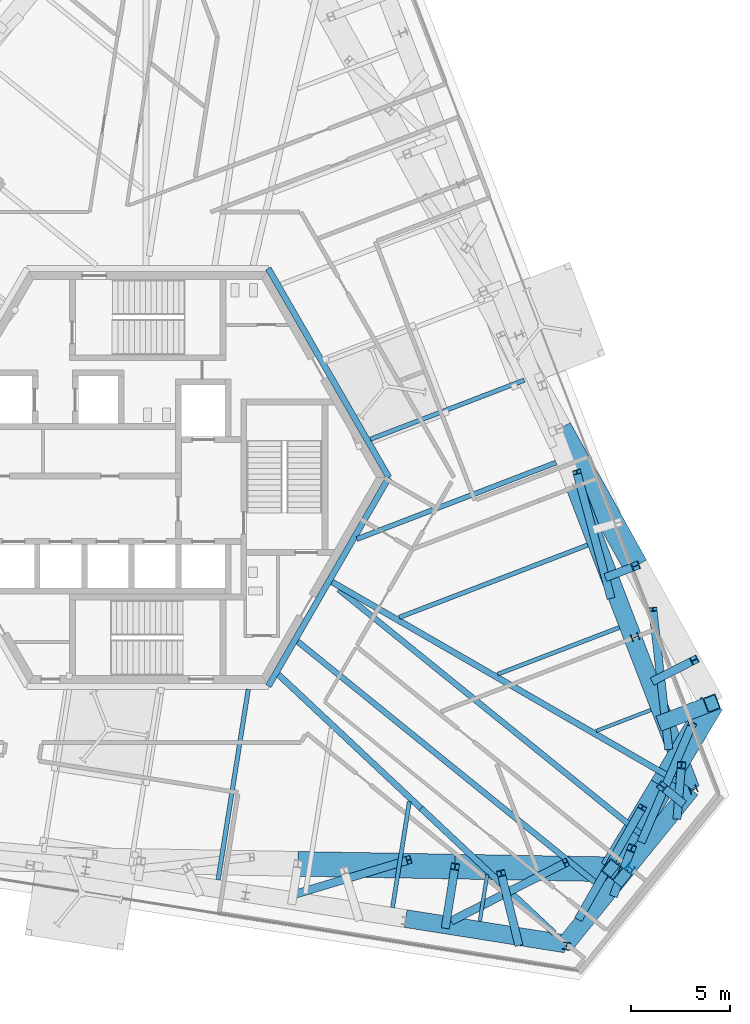
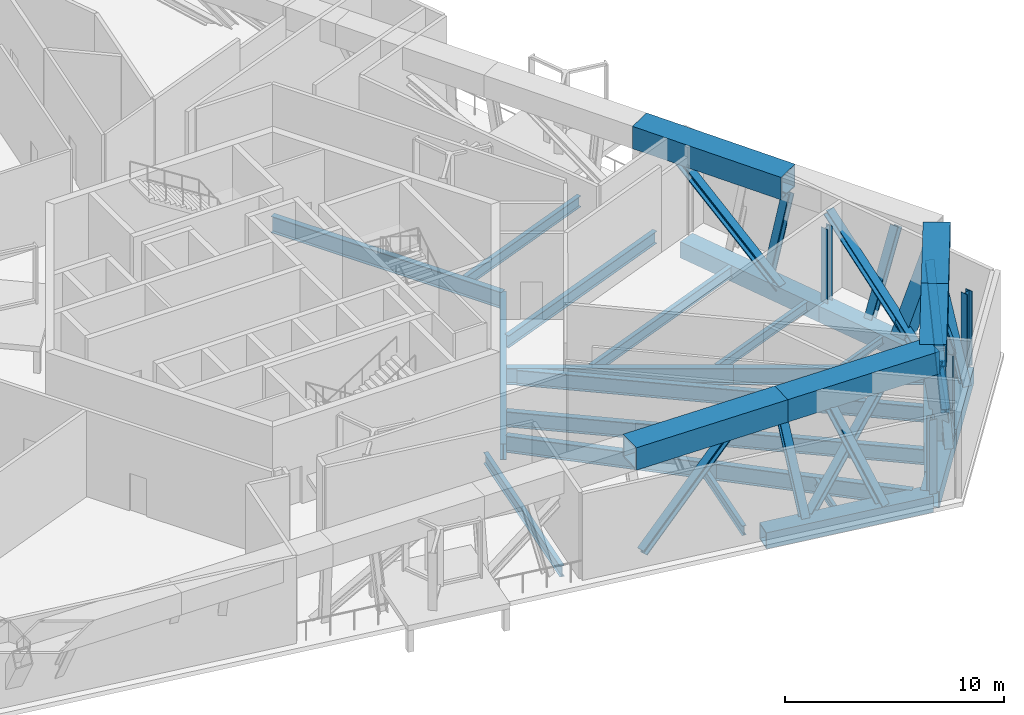
# One storey, part 3 of 14: 29 members, 16 beams.
"""IFC4 building model written with IfcOpenShell, lengths in metres."""

from ifc_helpers import new_model, si_unit, direction, frame, origin, origin_2d, place, context, subcontext, project, spatial, hollow_rectangle, i_section, extrude, source, transform, mapped, material, material_profile, profile_set, type_object, element, save


model = new_model("IFC4")

# Units and contexts
model_context = context("Model", 3, precision=1e-05, world=origin(), true_north=direction((0.0, 1.0)))
body_context = subcontext(model_context, "Body", "Model", "MODEL_VIEW")
ifc_project = project(units=[si_unit("LENGTHUNIT", "METRE"), si_unit("AREAUNIT", "SQUARE_METRE"), si_unit("VOLUMEUNIT", "CUBIC_METRE"), si_unit("PLANEANGLEUNIT", "RADIAN"), si_unit("MASSUNIT", "GRAM", prefix="KILO")], contexts=[model_context])

# Site, building, storey
site_placement = place(None, origin())
site = spatial("IfcSite", under=ifc_project, at=site_placement, CompositionType="ELEMENT")
building_placement = place(site_placement, origin())
building = spatial("IfcBuilding", under=site, at=building_placement, Name="Triune Harvest Tower", CompositionType="ELEMENT")
storey_placement = place(building_placement, frame((0.0, 0.0, 174.925048828125)))
storey = spatial("IfcBuildingStorey", under=building, at=storey_placement, Name="L45", CompositionType="ELEMENT", Elevation=174.925048828125)

# Beams
ifc_material_1 = material(Name="Steel ASTM A992 Gr 50", Category="steel")
ifc_material_profile_1 = material_profile(ifc_material_1, i_section(OverallWidth=0.307373046875, OverallDepth=0.922119140625, WebThickness=0.018310546875, FlangeThickness=0.030029296875, at=origin_2d()), Name="W36x182")
ifc_profile_set_1 = profile_set([ifc_material_profile_1], Name="Steel ASTM A992 Gr 50")
beam_type_1 = type_object("IfcBeamType", Name="HG-2 Hip girder W36x182", PredefinedType="BEAM", material=ifc_profile_set_1)
beam_1_placement = place(storey_placement, frame((26.8056640625, -15.385009765625, -0.7109375), z_axis=(-0.866018381575, 0.500012162627, 0.0), x_axis=(-0.500012162627, -0.866018381575, 0.0)))
element("IfcBeam", 1, at=beam_1_placement, inside=storey, type_object=beam_type_1, Name="beam/L45/HG1", PredefinedType="BEAM", context=body_context, shape_type="SweptSolid", body=[
    extrude(i_section(OverallWidth=0.307373046875, OverallDepth=0.922119140625, WebThickness=0.018310546875, FlangeThickness=0.030029296875, at=origin_2d()), origin(), (0.0, 0.0, 1.0), 9.823486328125),
])
beam_2_placement = place(storey_placement, frame((20.515625, -23.00439453125, -0.7109375), z_axis=(-0.729501671214, 0.683979028696, 0.0), x_axis=(-0.683979028696, -0.729501671214, 0.0)))
element("IfcBeam", 2, at=beam_2_placement, inside=storey, type_object=beam_type_1, Name="beam/L45/HG7", PredefinedType="BEAM", context=body_context, shape_type="SweptSolid", body=[
    extrude(i_section(OverallWidth=0.307373046875, OverallDepth=0.922119140625, WebThickness=0.018310546875, FlangeThickness=0.030029296875, at=origin_2d()), origin(), (0.0, 0.0, 1.0), 9.213623046875),
])
ifc_material_2 = material(Name="Steel ASTM A992 Gr 50", Category="steel")
ifc_material_profile_2 = material_profile(ifc_material_2, i_section(OverallWidth=0.180908203125, OverallDepth=0.41650390625, WebThickness=0.010986328125, FlangeThickness=0.01806640625, at=origin_2d()), Name="W16x57")
ifc_profile_set_2 = profile_set([ifc_material_profile_2], Name="Steel ASTM A992 Gr 50")
beam_type_2 = type_object("IfcBeamType", Name="JT-1 Floor joist W16x57", PredefinedType="JOIST", material=ifc_profile_set_2)
beam_3_placement = place(storey_placement, frame((25.406982421875, -11.74072265625, -0.458251953125), z_axis=(-0.933578972408, -0.358371737555, 0.0), x_axis=(0.358371737555, -0.933578972408, 0.0)))
element("IfcBeam", 3, at=beam_3_placement, inside=storey, type_object=beam_type_2, Name="beam/L45/JT1", PredefinedType="JOIST", context=body_context, shape_type="SweptSolid", body=[
    extrude(i_section(OverallWidth=0.180908203125, OverallDepth=0.41650390625, WebThickness=0.010986328125, FlangeThickness=0.01806640625, at=origin_2d()), origin(), (0.0, 0.0, 1.0), 2.96337890625),
])
ifc_material_3 = material(Name="Steel ASTM A992 Gr 50", Category="steel")
ifc_material_profile_3 = material_profile(ifc_material_3, i_section(OverallWidth=0.2099609375, OverallDepth=0.535888671875, WebThickness=0.010986328125, FlangeThickness=0.017333984375, at=origin_2d()), Name="W21x68")
ifc_profile_set_3 = profile_set([ifc_material_profile_3], Name="Steel ASTM A992 Gr 50")
beam_type_3 = type_object("IfcBeamType", Name="JT-2 Floor joist W21x68", PredefinedType="JOIST", material=ifc_profile_set_3)
beam_4_placement = place(storey_placement, frame((23.808837890625, -7.577880859375, -0.51806640625), z_axis=(-0.933579904372, -0.358369309725, 0.0), x_axis=(0.358369309725, -0.933579904372, 0.0)))
element("IfcBeam", 4, at=beam_4_placement, inside=storey, type_object=beam_type_3, Name="beam/L45/JT2", PredefinedType="JOIST", context=body_context, shape_type="SweptSolid", body=[
    extrude(i_section(OverallWidth=0.2099609375, OverallDepth=0.535888671875, WebThickness=0.010986328125, FlangeThickness=0.017333984375, at=origin_2d()), origin(), (0.0, 0.0, 1.0), 6.57421875),
])
ifc_material_4 = material(Name="Steel ASTM A992 Gr 50", Category="steel")
ifc_material_profile_4 = material_profile(ifc_material_4, i_section(OverallWidth=0.22900390625, OverallDepth=0.612060546875, WebThickness=0.011962890625, FlangeThickness=0.01953125, at=origin_2d()), Name="W24x84")
ifc_profile_set_4 = profile_set([ifc_material_profile_4], Name="Steel ASTM A992 Gr 50")
beam_type_4 = type_object("IfcBeamType", Name="JT-3 Floor joist W24x84", PredefinedType="JOIST", material=ifc_profile_set_4)
beam_5_placement = place(storey_placement, frame((19.014892578125, 4.910888671875, -0.55615234375), z_axis=(-0.933589428947, -0.358344496482, 0.0), x_axis=(0.358344496482, -0.933589428947, 0.0)))
element("IfcBeam", 5, at=beam_5_placement, inside=storey, type_object=beam_type_4, Name="beam/L45/JT5", PredefinedType="JOIST", context=body_context, shape_type="SweptSolid", body=[
    extrude(i_section(OverallWidth=0.22900390625, OverallDepth=0.612060546875, WebThickness=0.011962890625, FlangeThickness=0.01953125, at=origin_2d()), origin(), (0.0, 0.0, 1.0), 8.328125),
])
beam_6_placement = place(storey_placement, frame((3.553955078125, -20.318115234375, -0.55615234375), z_axis=(0.156419452212, 0.987690718277, 0.0), x_axis=(-0.987690718277, 0.156419452212, 0.0)))
element("IfcBeam", 6, at=beam_6_placement, inside=storey, type_object=beam_type_4, Name="beam/L45/JT31", PredefinedType="JOIST", context=body_context, shape_type="SweptSolid", body=[
    extrude(i_section(OverallWidth=0.22900390625, OverallDepth=0.612060546875, WebThickness=0.011962890625, FlangeThickness=0.01953125, at=origin_2d()), origin(), (0.0, 0.0, 1.0), 9.740966796875),
])

# Members
ifc_material_5 = material(Name="Steel ASTM A572 Gr 50", Category="steel")
ifc_material_profile_5 = material_profile(ifc_material_5, hollow_rectangle(XDim=1.25, YDim=1.25, WallThickness=0.070068359375, at=origin_2d()), Name="Box 1250x1250x70")
ifc_profile_set_5 = profile_set([ifc_material_profile_5], Name="Steel ASTM A572 Gr 50")
member_type_1 = type_object("IfcMemberType", Name="TC-1 Belt truss chord Box 1250x1250x70", PredefinedType="CHORD", material=ifc_profile_set_5)
member_1_placement = place(storey_placement, frame((24.632080078125, -4.473388671875, 4.18994140625), z_axis=(-0.484826855234, 0.874610153408, 0.0), x_axis=(-0.874610153408, -0.484826855234, 0.0)))
element("IfcMember", 7, at=member_1_placement, inside=storey, type_object=member_type_1, Name="truss/L45/TCT2", PredefinedType="CHORD", context=body_context, shape_type="SweptSolid", body=[
    extrude(hollow_rectangle(XDim=1.25, YDim=1.25, WallThickness=0.070068359375, at=origin_2d()), origin(), (0.0, 0.0, 1.0), 7.927001953125),
])
ifc_material_6 = material(Name="Steel ASTM A992 Gr 50", Category="steel")
ifc_material_profile_6 = material_profile(ifc_material_6, i_section(OverallWidth=0.411376953125, OverallDepth=0.434326171875, WebThickness=0.035888671875, FlangeThickness=0.057373046875, at=origin_2d()), Name="W14x311")
ifc_profile_set_6 = profile_set([ifc_material_profile_6], Name="Steel ASTM A992 Gr 50")
member_type_2 = type_object("IfcMemberType", Name="TD-2 Belt truss diagonal W14x311", PredefinedType="BRACE", material=ifc_profile_set_6)
member_2_placement = place(storey_placement, frame((21.7900390625, -22.22412109375, -0.324951171875), z_axis=(0.423257162956, 0.740123058394, 0.522562180453), x_axis=(-0.868076514654, 0.496430422825, 0.0)))
element("IfcMember", 8, at=member_2_placement, inside=storey, type_object=member_type_2, Name="truss/L45/TD45", PredefinedType="BRACE", context=body_context, shape_type="SweptSolid", body=[
    extrude(i_section(OverallWidth=0.411376953125, OverallDepth=0.434326171875, WebThickness=0.035888671875, FlangeThickness=0.057373046875, at=origin_2d()), origin(), (0.0, 0.0, 1.0), 7.5107421875),
])

# Beams
ifc_material_7 = material(Name="Steel ASTM A992 Gr 50", Category="steel")
ifc_material_profile_7 = material_profile(ifc_material_7, i_section(OverallWidth=0.3046875, OverallDepth=0.914306640625, WebThickness=0.0166015625, FlangeThickness=0.02587890625, at=origin_2d()), Name="W36x160")
ifc_profile_set_7 = profile_set([ifc_material_profile_7], Name="Steel ASTM A992 Gr 50")
beam_type_5 = type_object("IfcBeamType", Name="CG-1 Core ring girder W36x160", PredefinedType="BEAM", material=ifc_profile_set_7)
shared_shape_1 = source(origin(), body_context, "Body", "SweptSolid", [
    extrude(i_section(OverallWidth=0.3046875, OverallDepth=0.914306640625, WebThickness=0.0166015625, FlangeThickness=0.02587890625, at=origin_2d()), origin(), (0.0, 0.0, 1.0), 12.176025390625),
])
for number, where, z_axis, x_axis, name in (
    (9, (12.176025390625, 0.0, -0.707275390625), (-0.5000099932, 0.866019634131, 0.0), (-0.866019634131, -0.5000099932, 0.0), "beam/L45/CG1"),
    (10, (6.087890625, -10.544677734375, -0.707275390625), (0.5000099932, 0.866019634131, 0.0), (-0.866019634131, 0.5000099932, 0.0), "beam/L45/CG6"),
):
    element("IfcBeam", number, at=place(storey_placement, frame(where, z_axis=z_axis, x_axis=x_axis)), inside=storey, type_object=beam_type_5, Name=name, PredefinedType="BEAM", context=body_context, shape_type="MappedRepresentation", body=[
        mapped(shared_shape_1, transform((0.0, 0.0, 0.0), scale=1.0)),
    ])
shared_shape_2 = source(origin(), body_context, "Body", "SweptSolid", [
    extrude(i_section(OverallWidth=0.307373046875, OverallDepth=0.922119140625, WebThickness=0.018310546875, FlangeThickness=0.030029296875, at=origin_2d()), origin(), (0.0, 0.0, 1.0), 10.38623046875),
])
beam_7_placement = place(storey_placement, frame((18.29833984375, -10.47314453125, -0.7109375), z_axis=(-0.866022743272, 0.500004608114, 0.0), x_axis=(-0.500004608114, -0.866022743272, 0.0)))
element("IfcBeam", 11, at=beam_7_placement, inside=storey, type_object=beam_type_1, Name="beam/L45/HG2", PredefinedType="BEAM", context=body_context, shape_type="MappedRepresentation", body=[
    mapped(shared_shape_2, transform((0.0, 0.0, 0.0), scale=1.0)),
])
shared_shape_3 = source(origin(), body_context, "Body", "SweptSolid", [
    extrude(i_section(OverallWidth=0.307373046875, OverallDepth=0.922119140625, WebThickness=0.018310546875, FlangeThickness=0.030029296875, at=origin_2d()), origin(), (0.0, 0.0, 1.0), 9.85888671875),
])
beam_8_placement = place(storey_placement, frame((13.794189453125, -16.702392578125, -0.7109375), z_axis=(-0.729486233367, 0.683995493646, 0.0), x_axis=(-0.683995493646, -0.729486233367, 0.0)))
element("IfcBeam", 12, at=beam_8_placement, inside=storey, type_object=beam_type_1, Name="beam/L45/HG8", PredefinedType="BEAM", context=body_context, shape_type="MappedRepresentation", body=[
    mapped(shared_shape_3, transform((0.0, 0.0, 0.0), scale=1.0)),
])
shared_shape_4 = source(origin(), body_context, "Body", "SweptSolid", [
    extrude(i_section(OverallWidth=0.22900390625, OverallDepth=0.612060546875, WebThickness=0.011962890625, FlangeThickness=0.01953125, at=origin_2d()), origin(), (0.0, 0.0, 1.0), 10.18505859375),
])
beam_9_placement = place(storey_placement, frame((22.2109375, -3.414794921875, -0.55615234375), z_axis=(-0.933575234248, -0.358381475524, 0.0), x_axis=(0.358381475524, -0.933575234248, 0.0)))
element("IfcBeam", 13, at=beam_9_placement, inside=storey, type_object=beam_type_4, Name="beam/L45/JT3", PredefinedType="JOIST", context=body_context, shape_type="MappedRepresentation", body=[
    mapped(shared_shape_4, transform((0.0, 0.0, 0.0), scale=1.0)),
])
ifc_material_8 = material(Name="Steel ASTM A992 Gr 50", Category="steel")
ifc_material_profile_8 = material_profile(ifc_material_8, i_section(OverallWidth=0.253662109375, OverallDepth=0.683349609375, WebThickness=0.012451171875, FlangeThickness=0.01904296875, at=origin_2d()), Name="W27x94")
ifc_profile_set_8 = profile_set([ifc_material_profile_8], Name="Steel ASTM A992 Gr 50")
beam_type_6 = type_object("IfcBeamType", Name="JT-4 Floor joist W27x94", PredefinedType="JOIST", material=ifc_profile_set_8)
shared_shape_5 = source(origin(), body_context, "Body", "SweptSolid", [
    extrude(i_section(OverallWidth=0.253662109375, OverallDepth=0.683349609375, WebThickness=0.012451171875, FlangeThickness=0.01904296875, at=origin_2d()), origin(), (0.0, 0.0, 1.0), 10.773681640625),
])
beam_10_placement = place(storey_placement, frame((20.61279296875, 0.748046875, -0.591552734375), z_axis=(-0.933583690433, -0.358359446587, 0.0), x_axis=(0.358359446587, -0.933583690433, 0.0)))
element("IfcBeam", 14, at=beam_10_placement, inside=storey, type_object=beam_type_6, Name="beam/L45/JT4", PredefinedType="JOIST", context=body_context, shape_type="MappedRepresentation", body=[
    mapped(shared_shape_5, transform((0.0, 0.0, 0.0), scale=1.0)),
])
shared_shape_6 = source(origin(), body_context, "Body", "SweptSolid", [
    extrude(i_section(OverallWidth=0.2099609375, OverallDepth=0.535888671875, WebThickness=0.010986328125, FlangeThickness=0.017333984375, at=origin_2d()), origin(), (0.0, 0.0, 1.0), 5.4150390625),
])
beam_11_placement = place(storey_placement, frame((12.3623046875, -21.713134765625, -0.51806640625), z_axis=(0.156446431057, 0.98768644529, 0.0), x_axis=(-0.98768644529, 0.156446431057, 0.0)))
element("IfcBeam", 15, at=beam_11_placement, inside=storey, type_object=beam_type_3, Name="beam/L45/JT33", PredefinedType="JOIST", context=body_context, shape_type="MappedRepresentation", body=[
    mapped(shared_shape_6, transform((0.0, 0.0, 0.0), scale=1.0)),
])
shared_shape_7 = source(origin(), body_context, "Body", "SweptSolid", [
    extrude(i_section(OverallWidth=0.180908203125, OverallDepth=0.41650390625, WebThickness=0.010986328125, FlangeThickness=0.01806640625, at=origin_2d()), origin(), (0.0, 0.0, 1.0), 2.3896484375),
])
beam_12_placement = place(storey_placement, frame((16.7666015625, -22.41064453125, -0.458251953125), z_axis=(0.156408476498, 0.987692456425, 0.0), x_axis=(-0.987692456425, 0.156408476498, 0.0)))
element("IfcBeam", 16, at=beam_12_placement, inside=storey, type_object=beam_type_2, Name="beam/L45/JT34", PredefinedType="JOIST", context=body_context, shape_type="MappedRepresentation", body=[
    mapped(shared_shape_7, transform((0.0, 0.0, 0.0), scale=1.0)),
])
ifc_material_9 = material(Name="Steel ASTM A992 Gr 50", Category="steel")
ifc_material_profile_9 = material_profile(ifc_material_9, i_section(OverallWidth=0.2919921875, OverallDepth=0.8583984375, WebThickness=0.01708984375, FlangeThickness=0.031005859375, at=origin_2d()), Name="W33x169")
ifc_profile_set_9 = profile_set([ifc_material_profile_9], Name="Steel ASTM A992 Gr 50")
beam_type_7 = type_object("IfcBeamType", Name="JT-7 Floor joist W33x169", PredefinedType="JOIST", material=ifc_profile_set_9)
shared_shape_8 = source(origin(), body_context, "Body", "SweptSolid", [
    extrude(i_section(OverallWidth=0.2919921875, OverallDepth=0.8583984375, WebThickness=0.01708984375, FlangeThickness=0.031005859375, at=origin_2d()), origin(), (0.0, 0.0, 1.0), 19.674560546875),
])
beam_13_placement = place(storey_placement, frame((22.85888671875, -20.666015625, -0.679443359375), z_axis=(-0.77714689868, 0.629319233674, 0.0), x_axis=(-0.629319233674, -0.77714689868, 0.0)))
element("IfcBeam", 17, at=beam_13_placement, inside=storey, type_object=beam_type_7, Name="beam/L45/JT35", PredefinedType="JOIST", context=body_context, shape_type="MappedRepresentation", body=[
    mapped(shared_shape_8, transform((0.0, 0.0, 0.0), scale=1.0)),
])
shared_shape_9 = source(origin(), body_context, "Body", "SweptSolid", [
    extrude(i_section(OverallWidth=0.2919921875, OverallDepth=0.8583984375, WebThickness=0.01708984375, FlangeThickness=0.031005859375, at=origin_2d()), origin(), (0.0, 0.0, 1.0), 19.718505859375),
])
beam_14_placement = place(storey_placement, frame((24.967041015625, -18.062744140625, -0.679443359375), z_axis=(-0.777138176673, 0.629330004336, 0.0), x_axis=(-0.629330004336, -0.777138176673, 0.0)))
element("IfcBeam", 18, at=beam_14_placement, inside=storey, type_object=beam_type_7, Name="beam/L45/JT36", PredefinedType="JOIST", context=body_context, shape_type="MappedRepresentation", body=[
    mapped(shared_shape_9, transform((0.0, 0.0, 0.0), scale=1.0)),
])

# Members
ifc_material_10 = material(Name="Steel ASTM A992 Gr 50", Category="steel")
ifc_material_profile_10 = material_profile(ifc_material_10, i_section(OverallWidth=0.373291015625, OverallDepth=0.373291015625, WebThickness=0.016357421875, FlangeThickness=0.026123046875, at=origin_2d()), Name="W14x132")
ifc_profile_set_10 = profile_set([ifc_material_profile_10], Name="Steel ASTM A992 Gr 50")
member_type_3 = type_object("IfcMemberType", Name="WP-4 Roof edge post W14x132", PredefinedType="POST", material=ifc_profile_set_10)
shared_shape_10 = source(origin(), body_context, "Body", "SweptSolid", [
    extrude(i_section(OverallWidth=0.373291015625, OverallDepth=0.373291015625, WebThickness=0.016357421875, FlangeThickness=0.026123046875, at=origin_2d()), origin(), (0.0, 0.0, 1.0), 4.150634765625),
])
for number, where, z_axis, x_axis, name in (
    (19, (27.54345703125, -15.76123046875, -0.25), (0.0, 0.0, 1.0), (-0.358367949545, 0.933580426497, 0.0), "post/L45/W0"),
    (20, (24.607421875, -8.0673828125, -0.25), (0.0, 0.0, 1.0), (-0.358367949545, 0.933580426497, 0.0), "post/L45/W1"),
    (21, (21.143310546875, -23.664794921875, -0.25), (0.0, 0.0, 1.0), (0.987688340595, -0.15643446504, 0.0), "post/L45/W22"),
    (22, (24.35595703125, -19.72314453125, -0.25), (0.0, 0.0, 1.0), (0.629321747424, 0.777144863084, 0.0), "post/L45/W23"),
):
    element("IfcMember", number, at=place(storey_placement, frame(where, z_axis=z_axis, x_axis=x_axis)), inside=storey, type_object=member_type_3, Name=name, PredefinedType="POST", context=body_context, shape_type="MappedRepresentation", body=[
        mapped(shared_shape_10, transform((0.0, 0.0, 0.0), scale=1.0)),
    ])
ifc_material_11 = material(Name="Steel ASTM A572 Gr 50", Category="steel")
ifc_material_profile_11 = material_profile(ifc_material_11, hollow_rectangle(XDim=0.89990234375, YDim=0.89990234375, WallThickness=0.050048828125, at=origin_2d()), Name="Box 900x900x50")
ifc_profile_set_11 = profile_set([ifc_material_profile_11], Name="Steel ASTM A572 Gr 50")
member_type_4 = type_object("IfcMemberType", Name="TC-2 Belt truss chord Box 900x900x50", PredefinedType="CHORD", material=ifc_profile_set_11)
shared_shape_11 = source(origin(), body_context, "Body", "SweptSolid", [
    extrude(hollow_rectangle(XDim=0.89990234375, YDim=0.89990234375, WallThickness=0.050048828125, at=origin_2d()), origin(), (0.0, 0.0, 1.0), 8.175048828125),
])
for number, where, z_axis, x_axis, name in (
    (23, (27.425048828125, -15.742431640625, -0.699951171875), (-0.358368636722, 0.933580162714, 0.0), (-0.933580162714, -0.358368636722, 0.0), "truss/L45/TCB1"),
    (24, (24.495361328125, -8.1103515625, -0.699951171875), (-0.358368636722, 0.933580162714, 0.0), (-0.933580162714, -0.358368636722, 0.0), "truss/L45/TCB2"),
    (25, (13.02587890625, -22.27392578125, -0.699951171875), (0.987689487642, -0.156427222697, 0.0), (0.156427222697, 0.987689487642, 0.0), "truss/L45/TCB22"),
):
    element("IfcMember", number, at=place(storey_placement, frame(where, z_axis=z_axis, x_axis=x_axis)), inside=storey, type_object=member_type_4, Name=name, PredefinedType="CHORD", context=body_context, shape_type="MappedRepresentation", body=[
        mapped(shared_shape_11, transform((0.0, 0.0, 0.0), scale=1.0)),
    ])
shared_shape_12 = source(origin(), body_context, "Body", "SweptSolid", [
    extrude(hollow_rectangle(XDim=0.89990234375, YDim=0.89990234375, WallThickness=0.050048828125, at=origin_2d()), origin(), (0.0, 0.0, 1.0), 5.02490234375),
])
member_3_placement = place(storey_placement, frame((21.100341796875, -23.552734375, -0.699951171875), z_axis=(0.629335191644, 0.777133975939, 0.0), x_axis=(-0.777133975939, 0.629335191644, 0.0)))
element("IfcMember", 26, at=member_3_placement, inside=storey, type_object=member_type_4, Name="truss/L45/TCB23", PredefinedType="CHORD", context=body_context, shape_type="MappedRepresentation", body=[
    mapped(shared_shape_12, transform((0.0, 0.0, 0.0), scale=1.0)),
])
shared_shape_13 = source(origin(), body_context, "Body", "SweptSolid", [
    extrude(hollow_rectangle(XDim=0.89990234375, YDim=0.89990234375, WallThickness=0.050048828125, at=origin_2d()), origin(), (0.0, 0.0, 1.0), 5.025146484375),
])
member_4_placement = place(storey_placement, frame((24.2626953125, -19.647705078125, -0.699951171875), z_axis=(0.629311429887, 0.777153217978, 0.0), x_axis=(-0.777153217978, 0.629311429887, 0.0)))
element("IfcMember", 27, at=member_4_placement, inside=storey, type_object=member_type_4, Name="truss/L45/TCB24", PredefinedType="CHORD", context=body_context, shape_type="MappedRepresentation", body=[
    mapped(shared_shape_13, transform((0.0, 0.0, 0.0), scale=1.0)),
])
shared_shape_14 = source(origin(), body_context, "Body", "SweptSolid", [
    extrude(hollow_rectangle(XDim=1.25, YDim=1.25, WallThickness=0.070068359375, at=origin_2d()), origin(), (0.0, 0.0, 1.0), 7.92724609375),
])
for number, where, z_axis, x_axis, name in (
    (28, (7.587890625, -19.510498046875, 4.18994140625), (0.999848059671, -0.017431510912, 0.0), (0.017431510912, 0.999848059671, 0.0), "truss/L45/TCT21"),
    (29, (15.513916015625, -19.648681640625, 4.18994140625), (0.999847522428, -0.017462299252, 0.0), (0.017462299252, 0.999847522428, 0.0), "truss/L45/TCT22"),
):
    element("IfcMember", number, at=place(storey_placement, frame(where, z_axis=z_axis, x_axis=x_axis)), inside=storey, type_object=member_type_1, Name=name, PredefinedType="CHORD", context=body_context, shape_type="MappedRepresentation", body=[
        mapped(shared_shape_14, transform((0.0, 0.0, 0.0), scale=1.0)),
    ])
shared_shape_15 = source(origin(), body_context, "Body", "SweptSolid", [
    extrude(hollow_rectangle(XDim=1.25, YDim=1.25, WallThickness=0.070068359375, at=origin_2d()), origin(), (0.0, 0.0, 1.0), 4.888427734375),
])
for number, where, z_axis, x_axis, name in (
    (30, (23.43994140625, -19.787109375, 4.18994140625), (0.515017128942, 0.857179885961, 0.0), (-0.857179885961, 0.515017128942, 0.0), "truss/L45/TCT23"),
    (31, (25.95751953125, -15.596923828125, 4.18994140625), (0.515053823863, 0.85715783758, 0.0), (-0.85715783758, 0.515053823863, 0.0), "truss/L45/TCT24"),
):
    element("IfcMember", number, at=place(storey_placement, frame(where, z_axis=z_axis, x_axis=x_axis)), inside=storey, type_object=member_type_1, Name=name, PredefinedType="CHORD", context=body_context, shape_type="MappedRepresentation", body=[
        mapped(shared_shape_15, transform((0.0, 0.0, 0.0), scale=1.0)),
    ])
ifc_material_12 = material(Name="Steel ASTM A572 Gr 50", Category="steel")
ifc_material_profile_12 = material_profile(ifc_material_12, hollow_rectangle(XDim=0.800048828125, YDim=0.800048828125, WallThickness=0.050048828125, at=origin_2d()), Name="Box 800x800x50")
ifc_profile_set_12 = profile_set([ifc_material_profile_12], Name="Steel ASTM A572 Gr 50")
member_type_5 = type_object("IfcMemberType", Name="TS-2 Belt truss raked strut Box 800x800x50", PredefinedType="STRUT", material=ifc_profile_set_12)
shared_shape_16 = source(origin(), body_context, "Body", "SweptSolid", [
    extrude(hollow_rectangle(XDim=0.800048828125, YDim=0.800048828125, WallThickness=0.050048828125, at=origin_2d()), origin(), (0.0, 0.0, 1.0), 4.630126953125),
])
member_5_placement = place(storey_placement, frame((26.109375, -12.31494140625, -0.275146484375), z_axis=(0.51099177671, 0.196149975169, 0.83690656072), x_axis=(-0.358365735988, 0.933581276199, 0.0)))
element("IfcMember", 32, at=member_5_placement, inside=storey, type_object=member_type_5, Name="truss/L45/TS1", PredefinedType="STRUT", context=body_context, shape_type="MappedRepresentation", body=[
    mapped(shared_shape_16, transform((0.0, 0.0, 0.0), scale=1.0)),
])
ifc_material_13 = material(Name="Steel ASTM A992 Gr 50", Category="steel")
ifc_material_profile_13 = material_profile(ifc_material_13, i_section(OverallWidth=0.411376953125, OverallDepth=0.434326171875, WebThickness=0.035888671875, FlangeThickness=0.057373046875, at=origin_2d()), Name="W14x311")
ifc_profile_set_13 = profile_set([ifc_material_profile_13], Name="Steel ASTM A992 Gr 50")
member_type_6 = type_object("IfcMemberType", Name="TV-1 Belt truss strut W14x311", PredefinedType="STRUT", material=ifc_profile_set_13)
shared_shape_17 = source(origin(), body_context, "Body", "SweptSolid", [
    extrude(i_section(OverallWidth=0.411376953125, OverallDepth=0.434326171875, WebThickness=0.035888671875, FlangeThickness=0.057373046875, at=origin_2d()), origin(), (0.0, 0.0, 1.0), 4.130859375),
])
member_6_placement = place(storey_placement, frame((23.296142578125, -4.986328125, -0.275146484375), z_axis=(0.323409356387, 0.124174535411, 0.938076261802), x_axis=(-0.35844170112, 0.933552112578, 0.0)))
element("IfcMember", 33, at=member_6_placement, inside=storey, type_object=member_type_6, Name="truss/L45/TS2", PredefinedType="STRUT", context=body_context, shape_type="MappedRepresentation", body=[
    mapped(shared_shape_17, transform((0.0, 0.0, 0.0), scale=1.0)),
])
shared_shape_18 = source(origin(), body_context, "Body", "SweptSolid", [
    extrude(i_section(OverallWidth=0.411376953125, OverallDepth=0.434326171875, WebThickness=0.035888671875, FlangeThickness=0.057373046875, at=origin_2d()), origin(), (0.0, 0.0, 1.0), 4.8896484375),
])
member_7_placement = place(storey_placement, frame((15.04736328125, -22.593994140625, -0.275146484375), z_axis=(0.095417414083, 0.602362995027, 0.792498794518), x_axis=(-0.987685176557, 0.156454440683, 0.0)))
element("IfcMember", 34, at=member_7_placement, inside=storey, type_object=member_type_6, Name="truss/L45/TS22", PredefinedType="STRUT", context=body_context, shape_type="MappedRepresentation", body=[
    mapped(shared_shape_18, transform((0.0, 0.0, 0.0), scale=1.0)),
])
shared_shape_19 = source(origin(), body_context, "Body", "SweptSolid", [
    extrude(hollow_rectangle(XDim=0.800048828125, YDim=0.800048828125, WallThickness=0.050048828125, at=origin_2d()), origin(), (0.0, 0.0, 1.0), 3.9140625),
])
member_8_placement = place(storey_placement, frame((23.86865234375, -20.13427734375, -0.275146484375), z_axis=(-0.109530729311, 0.088697435695, 0.990018072682), x_axis=(-0.629325533063, -0.777141797509, 0.0)))
element("IfcMember", 35, at=member_8_placement, inside=storey, type_object=member_type_5, Name="truss/L45/TS23", PredefinedType="STRUT", context=body_context, shape_type="MappedRepresentation", body=[
    mapped(shared_shape_19, transform((0.0, 0.0, 0.0), scale=1.0)),
])
shared_shape_20 = source(origin(), body_context, "Body", "SweptSolid", [
    extrude(i_section(OverallWidth=0.411376953125, OverallDepth=0.434326171875, WebThickness=0.035888671875, FlangeThickness=0.057373046875, at=origin_2d()), origin(), (0.0, 0.0, 1.0), 4.066162109375),
])
member_9_placement = place(storey_placement, frame((26.9150390625, -16.372314453125, -0.275146484375), z_axis=(-0.235484661536, 0.190693341417, 0.952986371214), x_axis=(-0.629323624844, -0.777143342771, 0.0)))
element("IfcMember", 36, at=member_9_placement, inside=storey, type_object=member_type_6, Name="truss/L45/TS24", PredefinedType="STRUT", context=body_context, shape_type="MappedRepresentation", body=[
    mapped(shared_shape_20, transform((0.0, 0.0, 0.0), scale=1.0)),
])
shared_shape_21 = source(origin(), body_context, "Body", "SweptSolid", [
    extrude(i_section(OverallWidth=0.411376953125, OverallDepth=0.434326171875, WebThickness=0.035888671875, FlangeThickness=0.057373046875, at=origin_2d()), origin(), (0.0, 0.0, 1.0), 8.03662109375),
])
member_10_placement = place(storey_placement, frame((26.292724609375, -13.629638671875, -0.324951171875), z_axis=(-0.098030725015, 0.867117761027, 0.488361306273), x_axis=(-0.993670062976, -0.112337909656, 0.0)))
element("IfcMember", 37, at=member_10_placement, inside=storey, type_object=member_type_2, Name="truss/L45/TD1", PredefinedType="BRACE", context=body_context, shape_type="MappedRepresentation", body=[
    mapped(shared_shape_21, transform((0.0, 0.0, 0.0), scale=1.0)),
])
shared_shape_22 = source(origin(), body_context, "Body", "SweptSolid", [
    extrude(i_section(OverallWidth=0.411376953125, OverallDepth=0.434326171875, WebThickness=0.035888671875, FlangeThickness=0.057373046875, at=origin_2d()), origin(), (0.0, 0.0, 1.0), 4.5068359375),
])
member_11_placement = place(storey_placement, frame((25.627685546875, -10.22314453125, -0.324951171875), z_axis=(0.438142641813, 0.222755012751, 0.870868089735), x_axis=(-0.45319917889, 0.891409279879, 0.0)))
element("IfcMember", 38, at=member_11_placement, inside=storey, type_object=member_type_2, Name="truss/L45/TD2", PredefinedType="BRACE", context=body_context, shape_type="MappedRepresentation", body=[
    mapped(shared_shape_22, transform((0.0, 0.0, 0.0), scale=1.0)),
])
shared_shape_23 = source(origin(), body_context, "Body", "SweptSolid", [
    extrude(i_section(OverallWidth=0.411376953125, OverallDepth=0.434326171875, WebThickness=0.035888671875, FlangeThickness=0.057373046875, at=origin_2d()), origin(), (0.0, 0.0, 1.0), 7.590087890625),
])
member_12_placement = place(storey_placement, frame((23.363037109375, -5.997802734375, -0.324951171875), z_axis=(-0.224127242813, 0.826067142642, 0.51708805331), x_axis=(-0.965108141366, -0.26185162873, 0.0)))
element("IfcMember", 39, at=member_12_placement, inside=storey, type_object=member_type_2, Name="truss/L45/TD3", PredefinedType="BRACE", context=body_context, shape_type="MappedRepresentation", body=[
    mapped(shared_shape_23, transform((0.0, 0.0, 0.0), scale=1.0)),
])
shared_shape_24 = source(origin(), body_context, "Body", "SweptSolid", [
    extrude(i_section(OverallWidth=0.411376953125, OverallDepth=0.434326171875, WebThickness=0.035888671875, FlangeThickness=0.057373046875, at=origin_2d()), origin(), (0.0, 0.0, 1.0), 7.24951171875),
])
member_13_placement = place(storey_placement, frame((7.347412109375, -21.07080078125, -0.324951171875), z_axis=(0.804965007013, 0.242772569784, 0.541380473277), x_axis=(-0.2887476232, 0.957405248626, 0.0)))
element("IfcMember", 40, at=member_13_placement, inside=storey, type_object=member_type_2, Name="truss/L45/TD41", PredefinedType="BRACE", context=body_context, shape_type="MappedRepresentation", body=[
    mapped(shared_shape_24, transform((0.0, 0.0, 0.0), scale=1.0)),
])
shared_shape_25 = source(origin(), body_context, "Body", "SweptSolid", [
    extrude(i_section(OverallWidth=0.411376953125, OverallDepth=0.434326171875, WebThickness=0.035888671875, FlangeThickness=0.057373046875, at=origin_2d()), origin(), (0.0, 0.0, 1.0), 5.322265625),
])
member_14_placement = place(storey_placement, frame((18.70458984375, -23.47705078125, -0.324951171875), z_axis=(-0.161558533458, 0.655821224546, 0.737426173729), x_axis=(-0.970971698603, -0.239194398998, 0.0)))
element("IfcMember", 41, at=member_14_placement, inside=storey, type_object=member_type_2, Name="truss/L45/TD44", PredefinedType="BRACE", context=body_context, shape_type="MappedRepresentation", body=[
    mapped(shared_shape_25, transform((0.0, 0.0, 0.0), scale=1.0)),
])
shared_shape_26 = source(origin(), body_context, "Body", "SweptSolid", [
    extrude(i_section(OverallWidth=0.411376953125, OverallDepth=0.434326171875, WebThickness=0.035888671875, FlangeThickness=0.057373046875, at=origin_2d()), origin(), (0.0, 0.0, 1.0), 4.607666015625),
])
member_15_placement = place(storey_placement, frame((23.572998046875, -20.97607421875, -0.324951171875), z_axis=(0.185658361656, 0.489896464575, 0.851781912666), x_axis=(-0.935101565512, 0.354379827553, 0.0)))
element("IfcMember", 42, at=member_15_placement, inside=storey, type_object=member_type_2, Name="truss/L45/TD46", PredefinedType="BRACE", context=body_context, shape_type="MappedRepresentation", body=[
    mapped(shared_shape_26, transform((0.0, 0.0, 0.0), scale=1.0)),
])
shared_shape_27 = source(origin(), body_context, "Body", "SweptSolid", [
    extrude(i_section(OverallWidth=0.411376953125, OverallDepth=0.434326171875, WebThickness=0.035888671875, FlangeThickness=0.057373046875, at=origin_2d()), origin(), (0.0, 0.0, 1.0), 7.48193359375),
])
member_16_placement = place(storey_placement, frame((24.952392578125, -18.319091796875, -0.324951171875), z_axis=(0.338738142211, 0.781078403824, 0.52456934536), x_axis=(-0.917439528853, 0.397875245395, 0.0)))
element("IfcMember", 43, at=member_16_placement, inside=storey, type_object=member_type_2, Name="truss/L45/TD47", PredefinedType="BRACE", context=body_context, shape_type="MappedRepresentation", body=[
    mapped(shared_shape_27, transform((0.0, 0.0, 0.0), scale=1.0)),
])
shared_shape_28 = source(origin(), body_context, "Body", "SweptSolid", [
    extrude(i_section(OverallWidth=0.411376953125, OverallDepth=0.434326171875, WebThickness=0.035888671875, FlangeThickness=0.057373046875, at=origin_2d()), origin(), (0.0, 0.0, 1.0), 4.680908203125),
])
member_17_placement = place(storey_placement, frame((26.7353515625, -17.07080078125, -0.324951171875), z_axis=(0.045011926332, 0.543063936232, 0.838484041382), x_axis=(-0.996582625239, 0.082601882979, 0.0)))
element("IfcMember", 44, at=member_17_placement, inside=storey, type_object=member_type_2, Name="truss/L45/TD48", PredefinedType="BRACE", context=body_context, shape_type="MappedRepresentation", body=[
    mapped(shared_shape_28, transform((0.0, 0.0, 0.0), scale=1.0)),
])
shared_shape_29 = source(origin(), body_context, "Body", "SweptSolid", [
    extrude(i_section(OverallWidth=0.411376953125, OverallDepth=0.434326171875, WebThickness=0.035888671875, FlangeThickness=0.057373046875, at=origin_2d()), origin(), (0.0, 0.0, 1.0), 7.494140625),
])
member_18_placement = place(storey_placement, frame((15.421630859375, -22.349609375, -0.324951171875), z_axis=(0.758899794163, 0.387024235014, 0.523720673576), x_axis=(-0.454312426046, 0.890842421274, 0.0)))
element("IfcMember", 45, at=member_18_placement, inside=storey, type_object=member_type_2, Name="truss/L45/TD43", PredefinedType="BRACE", context=body_context, shape_type="MappedRepresentation", body=[
    mapped(shared_shape_29, transform((0.0, 0.0, 0.0), scale=1.0)),
])

save(model, "model.ifc")
